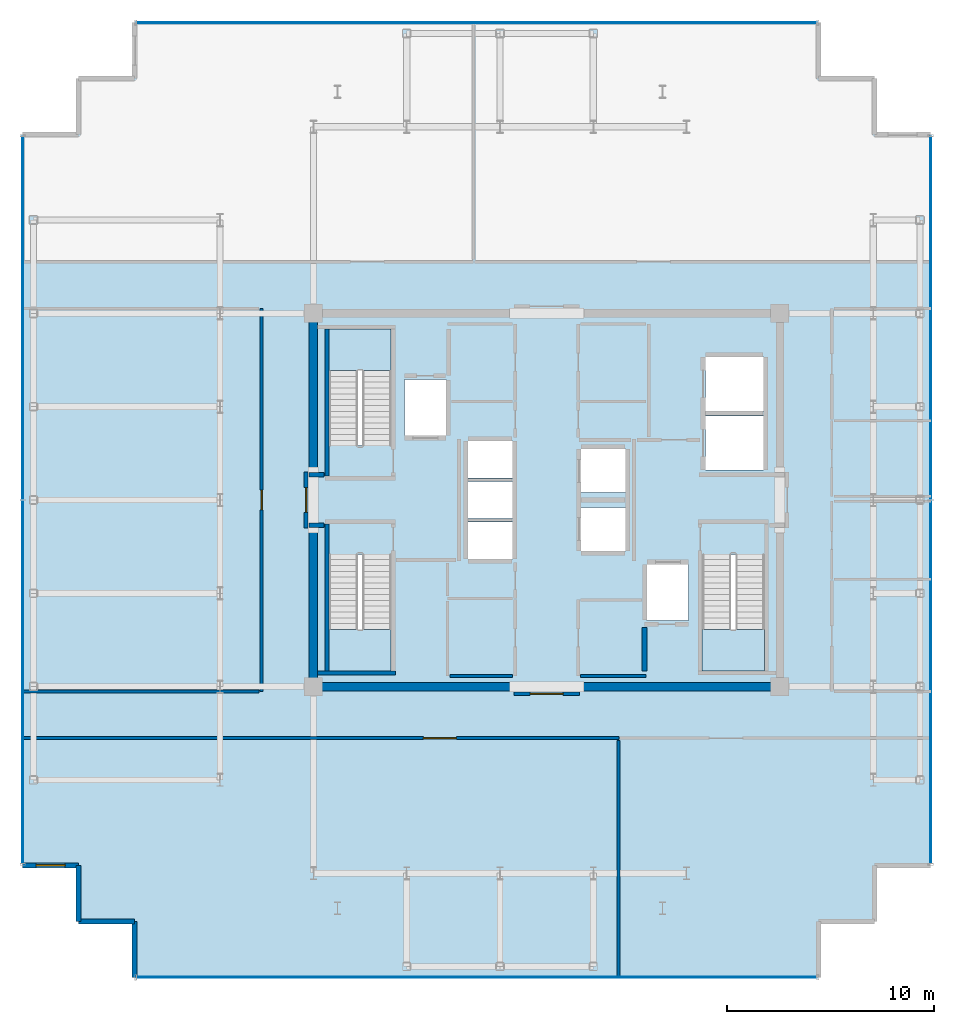
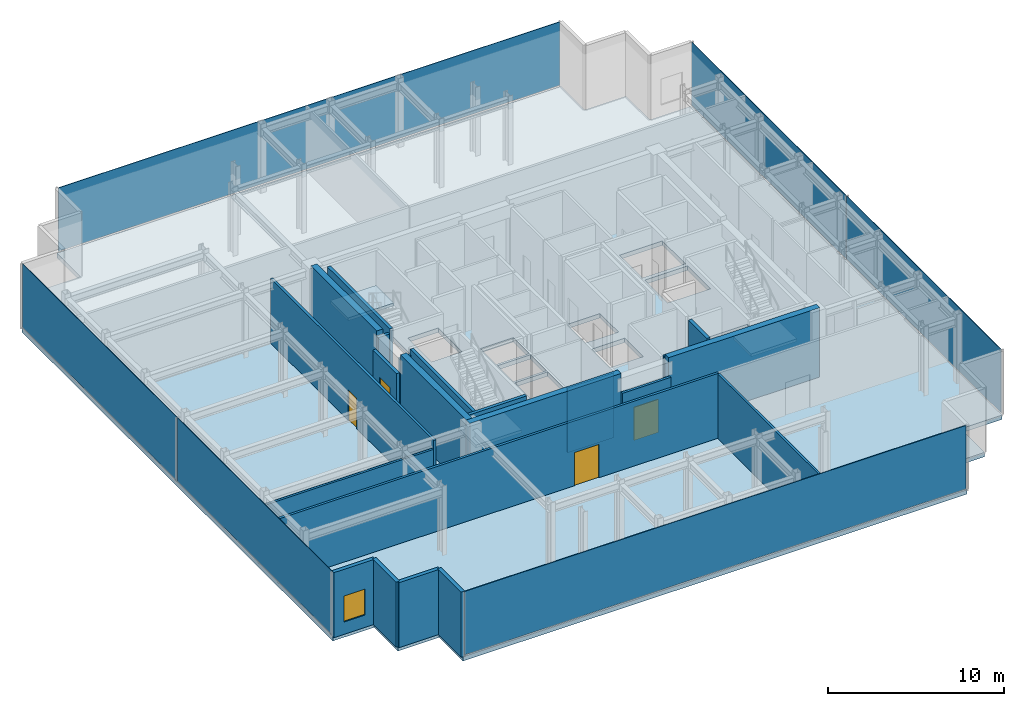
# One storey, part 12 of 17: 22 walls, 6 plates, 4 doors, 4 slabs, 1 window, 5 openings, 7 elements without a shape of their own.
"""IFC4 building model written with IfcOpenShell, lengths in metres."""

from ifc_helpers import new_model, si_unit, direction, frame, frame_2d, origin, origin_2d, place, context, subcontext, project, spatial, polyline, rectangle, outline, extrude, source, transform, mapped, material, layer, layer_set, type_object, element, fill, aggregate, save


model = new_model("IFC4")

# Units and contexts
model_context = context("Model", 3, precision=1e-05, world=origin(), true_north=direction((0.0, 1.0)))
body_context = subcontext(model_context, "Body", "Model", "MODEL_VIEW")
ifc_project = project(units=[si_unit("LENGTHUNIT", "METRE"), si_unit("AREAUNIT", "SQUARE_METRE"), si_unit("VOLUMEUNIT", "CUBIC_METRE"), si_unit("PLANEANGLEUNIT", "RADIAN"), si_unit("MASSUNIT", "GRAM", prefix="KILO")], contexts=[model_context])

# Site, building, storey
site_placement = place(None, origin())
site = spatial("IfcSite", under=ifc_project, at=site_placement, CompositionType="ELEMENT")
building_placement = place(site_placement, origin())
building = spatial("IfcBuilding", under=site, at=building_placement, Name="Nefas-Gora Pilgrimage Tower", CompositionType="ELEMENT")
storey_placement = place(building_placement, frame((0.0, 0.0, 349.0)))
storey = spatial("IfcBuildingStorey", under=building, at=storey_placement, Name="L88", CompositionType="ELEMENT", Elevation=349.0)

# Slab
ifc_material_1 = material(Name="Concrete C45/55", Category="concrete")
ifc_layer_1 = layer(ifc_material_1, 0.300048828125)
ifc_layer_set_1 = layer_set([ifc_layer_1], Name="Concrete C45/55")
slab_type_1 = type_object("IfcSlabType", Name="SLB-SPEC-300", PredefinedType="FLOOR", material=ifc_layer_set_1)
slab_1_placement = place(storey_placement, frame((0.0, 0.0, -0.300048828125)))
element("IfcSlab", 1, at=slab_1_placement, inside=storey, type_object=slab_type_1, Name="L88 Structural Floor Slab", PredefinedType="FLOOR", context=body_context, shape_type="SweptSolid", body=[
    extrude(outline(polyline([(18.52001953125, 17.6201171875), (15.820068359375, 17.6201171875), (15.820068359375, 20.320068359375), (13.1201171875, 20.320068359375), (13.1201171875, 23.02001953125), (-19.8701171875, 23.02001953125), (-19.8701171875, 20.320068359375), (-22.570068359375, 20.320068359375), (-22.570068359375, 17.6201171875), (-25.27001953125, 17.6201171875), (-25.27001953125, -17.6201171875), (-22.570068359375, -17.6201171875), (-22.570068359375, -20.320068359375), (-19.8701171875, -20.320068359375), (-19.8701171875, -23.02001953125), (13.1201171875, -23.02001953125), (13.1201171875, -20.320068359375), (15.820068359375, -20.320068359375), (15.820068359375, -17.6201171875), (18.52001953125, -17.6201171875), (18.52001953125, 17.6201171875)]), holes=[polyline([(-10.5, 2.639892578125), (-10.5, 8.25), (-7.5, 8.25), (-7.5, 2.639892578125), (-10.5, 2.639892578125)]), polyline([(10.5, -2.639892578125), (10.5, -8.25), (7.5, -8.25), (7.5, -2.639892578125), (10.5, -2.639892578125)]), polyline([(-7.5, -2.639892578125), (-7.5, -8.25), (-10.5, -8.25), (-10.5, -2.639892578125), (-7.5, -2.639892578125)]), polyline([(-6.85009765625, 5.800048828125), (-4.85009765625, 5.800048828125), (-4.85009765625, 3.10009765625), (-6.85009765625, 3.10009765625), (-6.85009765625, 5.800048828125)]), polyline([(4.85009765625, -3.10009765625), (6.85009765625, -3.10009765625), (6.85009765625, -5.800048828125), (4.85009765625, -5.800048828125), (4.85009765625, -3.10009765625)]), polyline([(7.64990234375, 4.050048828125), (10.449951171875, 4.050048828125), (10.449951171875, 1.449951171875), (7.64990234375, 1.449951171875), (7.64990234375, 4.050048828125)]), polyline([(7.64990234375, 6.89990234375), (10.449951171875, 6.89990234375), (10.449951171875, 4.300048828125), (7.64990234375, 4.300048828125), (7.64990234375, 6.89990234375)]), polyline([(-3.800048828125, -1.050048828125), (-1.64990234375, -1.050048828125), (-1.64990234375, -2.85009765625), (-3.800048828125, -2.85009765625), (-3.800048828125, -1.050048828125)]), polyline([(-3.800048828125, 0.89990234375), (-1.64990234375, 0.89990234375), (-1.64990234375, -0.89990234375), (-3.800048828125, -0.89990234375), (-3.800048828125, 0.89990234375)]), polyline([(-3.800048828125, 2.85009765625), (-1.64990234375, 2.85009765625), (-1.64990234375, 1.050048828125), (-3.800048828125, 1.050048828125), (-3.800048828125, 2.85009765625)]), polyline([(1.64990234375, -0.35009765625), (3.800048828125, -0.35009765625), (3.800048828125, -2.449951171875), (1.64990234375, -2.449951171875), (1.64990234375, -0.35009765625)]), polyline([(1.64990234375, 2.449951171875), (3.800048828125, 2.449951171875), (3.800048828125, 0.35009765625), (1.64990234375, 0.35009765625), (1.64990234375, 2.449951171875)])]), origin(), (0.0, 0.0, 1.0), 0.300048828125),
])

# Stair, slab
stair_type = type_object("IfcStairType", Name="STR-1400-R1714", PredefinedType="HALF_TURN_STAIR", material=ifc_material_1)
stair_1_placement = place(storey_placement, origin())
stair_1 = element("IfcStair", 2, at=stair_1_placement, inside=storey, type_object=stair_type, Name="L88 Pressurised Tower Exit Stair ST-01", PredefinedType="HALF_TURN_STAIR")
ifc_material_2 = material(Name="Concrete C40/50", Category="concrete")
ifc_layer_2 = layer(ifc_material_2, 0.199951171875)
ifc_layer_set_2 = layer_set([ifc_layer_2], Name="Concrete C40/50")
slab_type_2 = type_object("IfcSlabType", Name="STR-LAND-200", PredefinedType="LANDING", material=ifc_layer_set_2)
slab_2_placement = place(storey_placement, frame((0.0, 0.0, 2.199951171875)))
slab_2 = element("IfcSlab", 3, at=slab_2_placement, type_object=slab_type_2, Name="ST-01 landing 1", PredefinedType="LANDING", context=body_context, shape_type="SweptSolid", body=[
    extrude(outline(polyline([(-7.5, 6.239990234375), (-7.5, 8.25), (-10.5, 8.25), (-10.5, 6.239990234375), (-7.5, 6.239990234375)])), origin(), (0.0, 0.0, 1.0), 0.199951171875),
])
aggregate(stair_1, [slab_2])

stair_2_placement = place(storey_placement, origin())
stair_2 = element("IfcStair", 4, at=stair_2_placement, inside=storey, type_object=stair_type, Name="L88 Pressurised Tower Exit Stair ST-02", PredefinedType="HALF_TURN_STAIR")
slab_3_placement = place(storey_placement, frame((0.0, 0.0, 2.199951171875)))
slab_3 = element("IfcSlab", 5, at=slab_3_placement, type_object=slab_type_2, Name="ST-02 landing 1", PredefinedType="LANDING", context=body_context, shape_type="SweptSolid", body=[
    extrude(outline(polyline([(7.5, -6.239990234375), (7.5, -8.25), (10.5, -8.25), (10.5, -6.239990234375), (7.5, -6.239990234375)])), origin(), (0.0, 0.0, 1.0), 0.199951171875),
])
aggregate(stair_2, [slab_3])

stair_3_placement = place(storey_placement, origin())
stair_3 = element("IfcStair", 6, at=stair_3_placement, inside=storey, type_object=stair_type, Name="L88 Pressurised Tower Exit Stair ST-03", PredefinedType="HALF_TURN_STAIR")
slab_4_placement = place(storey_placement, frame((0.0, 0.0, 2.199951171875)))
slab_4 = element("IfcSlab", 7, at=slab_4_placement, type_object=slab_type_2, Name="ST-03 landing 1", PredefinedType="LANDING", context=body_context, shape_type="SweptSolid", body=[
    extrude(outline(polyline([(-10.5, -6.239990234375), (-10.5, -8.25), (-7.5, -8.25), (-7.5, -6.239990234375), (-10.5, -6.239990234375)])), origin(), (0.0, 0.0, 1.0), 0.199951171875),
])
aggregate(stair_3, [slab_4])

# Curtain wall, plate
ifc_material_3 = material(Name="Dark ceramic-fritted solar-control aluminium-glass curtain wall", Category="aluminium")
ifc_layer_3 = layer(ifc_material_3, 0.219970703125)
ifc_layer_set_3 = layer_set([ifc_layer_3], Name="Dark ceramic-fritted solar-control aluminium-glass curtain wall")
curtain_wall_type = type_object("IfcCurtainWallType", Name="CW-SYS-6", PredefinedType="NOTDEFINED", material=ifc_layer_set_3)
curtain_wall_1_placement = place(storey_placement, origin())
curtain_wall_1 = element("IfcCurtainWall", 8, at=curtain_wall_1_placement, inside=storey, type_object=curtain_wall_type, Name="L88 Unitised Curtain Wall CW6", PredefinedType="NOTDEFINED")
ifc_material_4 = material(Name="Dark ceramic-printed low-e insulated glass", Category="glass")
ifc_layer_4 = layer(ifc_material_4, 0.0400390625)
ifc_layer_set_4 = layer_set([ifc_layer_4], Name="Dark ceramic-printed low-e insulated glass")
plate_type = type_object("IfcPlateType", Name="CWP-PNL-6", PredefinedType="CURTAIN_PANEL", material=ifc_layer_set_4)
shared_shape_1 = source(origin(), body_context, "Body", "SweptSolid", [
    extrude(rectangle(XDim=32.81005859375, YDim=0.0400390625, at=origin_2d()), origin(), (0.0, 0.0, 1.0), 4.389892578125),
])
plate_1_placement = place(storey_placement, frame((-3.375, 23.02001953125, 0.10009765625), z_axis=(0.0, 0.0, 1.0), x_axis=(-1.0, 0.0, 0.0)))
plate_1 = element("IfcPlate", 9, at=plate_1_placement, type_object=plate_type, Name="CW6 Ceramic-Fritted Glazing Panel 1", PredefinedType="CURTAIN_PANEL", context=body_context, shape_type="MappedRepresentation", body=[
    mapped(shared_shape_1, transform((0.0, 0.0, 0.0), x_axis=(1.0, 0.0, 0.0), y_axis=(0.0, 1.0, 0.0), z_axis=(0.0, 0.0, 1.0), scale=1.0)),
])
aggregate(curtain_wall_1, [plate_1])

curtain_wall_2_placement = place(storey_placement, origin())
curtain_wall_2 = element("IfcCurtainWall", 10, at=curtain_wall_2_placement, inside=storey, type_object=curtain_wall_type, Name="L88 Unitised Curtain Wall CW6", PredefinedType="NOTDEFINED")
plate_2_placement = place(storey_placement, frame((-3.375, -23.02001953125, 0.10009765625), z_axis=(0.0, 0.0, 1.0), x_axis=(1.0, 0.0, 0.0)))
plate_2 = element("IfcPlate", 11, at=plate_2_placement, type_object=plate_type, Name="CW6 Ceramic-Fritted Glazing Panel 1", PredefinedType="CURTAIN_PANEL", context=body_context, shape_type="MappedRepresentation", body=[
    mapped(shared_shape_1, transform((0.0, 0.0, 0.0), x_axis=(1.0, 0.0, 0.0), y_axis=(0.0, 1.0, 0.0), z_axis=(0.0, 0.0, 1.0), scale=1.0)),
])
aggregate(curtain_wall_2, [plate_2])

# Curtain wall, plates
curtain_wall_3_placement = place(storey_placement, origin())
curtain_wall_3 = element("IfcCurtainWall", 12, at=curtain_wall_3_placement, inside=storey, type_object=curtain_wall_type, Name="L88 Unitised Curtain Wall CW6", PredefinedType="NOTDEFINED")
shared_shape_2 = source(origin(), body_context, "Body", "SweptSolid", [
    extrude(rectangle(XDim=17.485107421875, YDim=0.0400390625, at=origin_2d()), origin(), (0.0, 0.0, 1.0), 4.389892578125),
])
plate_3_placement = place(storey_placement, frame((-25.27001953125, 8.78759765625, 0.10009765625), z_axis=(0.0, 0.0, 1.0), x_axis=(0.0, -1.0, 0.0)))
plate_3 = element("IfcPlate", 13, at=plate_3_placement, type_object=plate_type, Name="CW6 Ceramic-Fritted Glazing Panel 1", PredefinedType="CURTAIN_PANEL", context=body_context, shape_type="MappedRepresentation", body=[
    mapped(shared_shape_2, transform((0.0, 0.0, 0.0), x_axis=(1.0, 0.0, 0.0), y_axis=(0.0, 1.0, 0.0), z_axis=(0.0, 0.0, 1.0), scale=1.0)),
])
plate_4_placement = place(storey_placement, frame((-25.27001953125, -8.78759765625, 0.10009765625), z_axis=(0.0, 0.0, 1.0), x_axis=(0.0, -1.0, 0.0)))
plate_4 = element("IfcPlate", 14, at=plate_4_placement, type_object=plate_type, Name="CW6 Ceramic-Fritted Glazing Panel 2", PredefinedType="CURTAIN_PANEL", context=body_context, shape_type="MappedRepresentation", body=[
    mapped(shared_shape_2, transform((0.0, 0.0, 0.0), x_axis=(1.0, 0.0, 0.0), y_axis=(0.0, 1.0, 0.0), z_axis=(0.0, 0.0, 1.0), scale=1.0)),
])
aggregate(curtain_wall_3, [plate_3, plate_4])

curtain_wall_4_placement = place(storey_placement, origin())
curtain_wall_4 = element("IfcCurtainWall", 15, at=curtain_wall_4_placement, inside=storey, type_object=curtain_wall_type, Name="L88 Unitised Curtain Wall CW6", PredefinedType="NOTDEFINED")
plate_5_placement = place(storey_placement, frame((18.52001953125, -8.78759765625, 0.10009765625), z_axis=(0.0, 0.0, 1.0), x_axis=(0.0, 1.0, 0.0)))
plate_5 = element("IfcPlate", 16, at=plate_5_placement, type_object=plate_type, Name="CW6 Ceramic-Fritted Glazing Panel 1", PredefinedType="CURTAIN_PANEL", context=body_context, shape_type="MappedRepresentation", body=[
    mapped(shared_shape_2, transform((0.0, 0.0, 0.0), x_axis=(1.0, 0.0, 0.0), y_axis=(0.0, 1.0, 0.0), z_axis=(0.0, 0.0, 1.0), scale=1.0)),
])
plate_6_placement = place(storey_placement, frame((18.52001953125, 8.78759765625, 0.10009765625), z_axis=(0.0, 0.0, 1.0), x_axis=(0.0, 1.0, 0.0)))
plate_6 = element("IfcPlate", 17, at=plate_6_placement, type_object=plate_type, Name="CW6 Ceramic-Fritted Glazing Panel 2", PredefinedType="CURTAIN_PANEL", context=body_context, shape_type="MappedRepresentation", body=[
    mapped(shared_shape_2, transform((0.0, 0.0, 0.0), x_axis=(1.0, 0.0, 0.0), y_axis=(0.0, 1.0, 0.0), z_axis=(0.0, 0.0, 1.0), scale=1.0)),
])
aggregate(curtain_wall_4, [plate_5, plate_6])

# Walls
ifc_material_5 = material(Name="Concrete C50/60", Category="concrete")
ifc_layer_5 = layer(ifc_material_5, 0.39990234375)
ifc_layer_set_5 = layer_set([ifc_layer_5], Name="Concrete C50/60")
wall_type_1 = type_object("IfcWallType", Name="SW-CORE-400", PredefinedType="SHEAR", material=ifc_layer_set_5)
shared_shape_3 = source(origin(), body_context, "Body", "SweptSolid", [
    extrude(rectangle(XDim=9.89990234375, YDim=0.39990234375, at=frame_2d((4.949951171875, 0.0))), origin(), (0.0, 0.0, 1.0), 4.800048828125),
])
for number, where, z_axis, x_axis, name in (
    (18, (-11.449951171875, -9.0, 0.0), (0.0, 0.0, 1.0), (1.0, 0.0, 0.0), "L88 Core Shear Wall S-West"),
    (19, (1.550048828125, -9.0, 0.0), (0.0, 0.0, 1.0), (1.0, 0.0, 0.0), "L88 Core Shear Wall S-East"),
):
    element("IfcWall", number, at=place(storey_placement, frame(where, z_axis=z_axis, x_axis=x_axis)), inside=storey, type_object=wall_type_1, Name=name, PredefinedType="SHEAR", context=body_context, shape_type="MappedRepresentation", body=[
        mapped(shared_shape_3, transform((0.0, 0.0, 0.0), x_axis=(1.0, 0.0, 0.0), y_axis=(0.0, 1.0, 0.0), z_axis=(0.0, 0.0, 1.0), scale=1.0)),
    ])
shared_shape_4 = source(origin(), body_context, "Body", "SweptSolid", [
    extrude(rectangle(XDim=7.449951171875, YDim=0.39990234375, at=frame_2d((3.72509765625, 0.0))), origin(), (0.0, 0.0, 1.0), 4.800048828125),
])
for number, where, z_axis, x_axis, name in (
    (20, (-11.25, -8.800048828125, 0.0), (0.0, 0.0, 1.0), (0.0, 1.0, 0.0), "L88 Core Shear Wall W-South"),
    (21, (-11.25, 1.35009765625, 0.0), (0.0, 0.0, 1.0), (0.0, 1.0, 0.0), "L88 Core Shear Wall W-North"),
):
    element("IfcWall", number, at=place(storey_placement, frame(where, z_axis=z_axis, x_axis=x_axis)), inside=storey, type_object=wall_type_1, Name=name, PredefinedType="SHEAR", context=body_context, shape_type="MappedRepresentation", body=[
        mapped(shared_shape_4, transform((0.0, 0.0, 0.0), x_axis=(1.0, 0.0, 0.0), y_axis=(0.0, 1.0, 0.0), z_axis=(0.0, 0.0, 1.0), scale=1.0)),
    ])

# Wall, opening, window
ifc_material_6 = material(Name="Precast concrete C45/55", Category="concrete")
ifc_layer_6 = layer(ifc_material_6, 0.239990234375)
ifc_layer_set_6 = layer_set([ifc_layer_6], Name="Precast concrete C45/55")
wall_type_2 = type_object("IfcWallType", Name="EW-SERR-240", PredefinedType="SHEAR", material=ifc_layer_set_6)
shared_shape_5 = source(origin(), body_context, "Body", "SweptSolid", [
    extrude(rectangle(XDim=2.699951171875, YDim=0.239990234375, at=frame_2d((1.35009765625, 0.0))), origin(), (0.0, 0.0, 1.0), 4.5),
])
wall_1_placement = place(storey_placement, frame((-25.27001953125, -17.6201171875, 0.0), z_axis=(0.0, 0.0, 1.0), x_axis=(1.0, 0.0, 0.0)))
wall_1 = element("IfcWall", 22, at=wall_1_placement, inside=storey, type_object=wall_type_2, Name="L88 Serrated Corner Shear Pier Wall 9", PredefinedType="SHEAR", context=body_context, shape_type="MappedRepresentation", body=[
    mapped(shared_shape_5, transform((0.0, 0.0, 0.0), x_axis=(1.0, 0.0, 0.0), y_axis=(0.0, 1.0, 0.0), z_axis=(0.0, 0.0, 1.0), scale=1.0)),
])
opening_1_placement = place(wall_1_placement, frame((0.64990234375, 0.0, 0.85009765625)))
opening_1 = element("IfcOpeningElement", 23, at=opening_1_placement, cuts=wall_1, Name="Opening W-V2", PredefinedType="OPENING", context=body_context, shape_type="SweptSolid", body=[
    extrude(rectangle(XDim=1.39990234375, YDim=1.800048828125, at=frame_2d((0.699951171875, 0.89990234375))), frame((0.0, 0.1298828125, 0.0), z_axis=(0.0, -1.0, 0.0), x_axis=(1.0, 0.0, 0.0)), (0.0, 0.0, 1.0), 0.260009765625),
])
ifc_material_7 = material(Name="Dark ceramic-fritted operable aluminium-glass window", Category="aluminium")
window_type = type_object("IfcWindowType", Name="WIN-VENT-1400x1800", PartitioningType="SINGLE_PANEL", PredefinedType="WINDOW", material=ifc_material_7)
shared_shape_6 = source(origin(), body_context, "Body", "SweptSolid", [
    extrude(rectangle(XDim=1.39990234375, YDim=1.800048828125, at=frame_2d((0.699951171875, 0.89990234375))), frame((0.0, 0.030029296875, 0.0), z_axis=(0.0, -1.0, 0.0), x_axis=(1.0, 0.0, 0.0)), (0.0, 0.0, 1.0), 0.06005859375),
])
window_placement = place(opening_1_placement, origin())
window = element("IfcWindow", 24, at=window_placement, inside=storey, type_object=window_type, Name="L88 Operable Parallel-Outswing Window 9", OverallHeight=1.800048828125, OverallWidth=1.39990234375, PartitioningType="SINGLE_PANEL", PredefinedType="WINDOW", context=body_context, shape_type="MappedRepresentation", body=[
    mapped(shared_shape_6, transform((0.0, 0.0, 0.0), x_axis=(1.0, 0.0, 0.0), y_axis=(0.0, 1.0, 0.0), z_axis=(0.0, 0.0, 1.0), scale=1.0)),
])
fill(opening_1, window)

# Walls
for number, where, z_axis, x_axis, name in (
    (25, (-22.570068359375, -17.6201171875, 0.0), (0.0, 0.0, 1.0), (0.0, -1.0, 0.0), "L88 Serrated Corner Shear Pier Wall 10"),
    (26, (-22.570068359375, -20.320068359375, 0.0), (0.0, 0.0, 1.0), (1.0, 0.0, 0.0), "L88 Serrated Corner Shear Pier Wall 11"),
    (27, (-19.8701171875, -20.320068359375, 0.0), (0.0, 0.0, 1.0), (0.0, -1.0, 0.0), "L88 Serrated Corner Shear Pier Wall 12"),
):
    element("IfcWall", number, at=place(storey_placement, frame(where, z_axis=z_axis, x_axis=x_axis)), inside=storey, type_object=wall_type_2, Name=name, PredefinedType="SHEAR", context=body_context, shape_type="MappedRepresentation", body=[
        mapped(shared_shape_5, transform((0.0, 0.0, 0.0), x_axis=(1.0, 0.0, 0.0), y_axis=(0.0, 1.0, 0.0), z_axis=(0.0, 0.0, 1.0), scale=1.0)),
    ])
ifc_layer_7 = layer(ifc_material_1, 0.199951171875)
ifc_layer_set_7 = layer_set([ifc_layer_7], Name="Concrete C45/55")
wall_type_3 = type_object("IfcWallType", Name="IW-STAIR-200", PredefinedType="SOLIDWALL", material=ifc_layer_set_7)
shared_shape_7 = source(origin(), body_context, "Body", "SweptSolid", [
    extrude(rectangle(XDim=7.10009765625, YDim=0.199951171875, at=frame_2d((3.550048828125, 0.0))), origin(), (0.0, 0.0, 1.0), 4.800048828125),
])
for number, where, z_axis, x_axis, name in (
    (28, (-10.60009765625, 1.14990234375, 0.0), (0.0, 0.0, 1.0), (0.0, 1.0, 0.0), "L88 Stairwell Shear Wall ST-01-right"),
    (29, (-10.60009765625, -1.14990234375, 0.0), (0.0, 0.0, 1.0), (0.0, -1.0, 0.0), "L88 Stairwell Shear Wall ST-03-left"),
):
    element("IfcWall", number, at=place(storey_placement, frame(where, z_axis=z_axis, x_axis=x_axis)), inside=storey, type_object=wall_type_3, Name=name, PredefinedType="SOLIDWALL", context=body_context, shape_type="MappedRepresentation", body=[
        mapped(shared_shape_7, transform((0.0, 0.0, 0.0), x_axis=(1.0, 0.0, 0.0), y_axis=(0.0, 1.0, 0.0), z_axis=(0.0, 0.0, 1.0), scale=1.0)),
    ])
shared_shape_8 = source(origin(), body_context, "Body", "SweptSolid", [
    extrude(rectangle(XDim=3.7548828125, YDim=0.199951171875, at=frame_2d((1.87744140625, 0.0))), origin(), (0.0, 0.0, 1.0), 4.800048828125),
])
wall_2_placement = place(storey_placement, frame((-11.054931640625, -8.35009765625, 0.0), z_axis=(0.0, 0.0, 1.0), x_axis=(1.0, 0.0, 0.0)))
element("IfcWall", 30, at=wall_2_placement, inside=storey, type_object=wall_type_3, Name="L88 Stairwell Shear Wall ST-03-far", PredefinedType="SOLIDWALL", context=body_context, shape_type="MappedRepresentation", body=[
    mapped(shared_shape_8, transform((0.0, 0.0, 0.0), x_axis=(1.0, 0.0, 0.0), y_axis=(0.0, 1.0, 0.0), z_axis=(0.0, 0.0, 1.0), scale=1.0)),
])
ifc_material_8 = material(Name="Gypsum twin-stud partition")
ifc_layer_8 = layer(ifc_material_8, 0.139892578125)
ifc_layer_set_8 = layer_set([ifc_layer_8], Name="Gypsum twin-stud partition")
wall_type_4 = type_object("IfcWallType", Name="IW-UNIT-140", PredefinedType="PARTITIONING", material=ifc_layer_set_8)
shared_shape_9 = source(origin(), body_context, "Body", "SweptSolid", [
    extrude(rectangle(XDim=11.419921875, YDim=0.139892578125, at=frame_2d((5.7099609375, 0.0))), origin(), (0.0, 0.0, 1.0), 3.925048828125),
])
wall_3_placement = place(storey_placement, frame((-25.2900390625, -9.22998046875, 0.0), z_axis=(0.0, 0.0, 1.0), x_axis=(1.0, 0.0, 0.0)))
element("IfcWall", 31, at=wall_3_placement, inside=storey, type_object=wall_type_4, Name="L88 Heritage Exhibition Lounge Partition Wall 43", PredefinedType="PARTITIONING", context=body_context, shape_type="MappedRepresentation", body=[
    mapped(shared_shape_9, transform((0.0, 0.0, 0.0), x_axis=(1.0, 0.0, 0.0), y_axis=(0.0, 1.0, 0.0), z_axis=(0.0, 0.0, 1.0), scale=1.0)),
])
ifc_layer_9 = layer(ifc_material_2, 0.219970703125)
ifc_layer_set_9 = layer_set([ifc_layer_9], Name="Concrete C40/50")
wall_type_5 = type_object("IfcWallType", Name="IW-SHAFT-220", PredefinedType="SOLIDWALL", material=ifc_layer_set_9)
shared_shape_10 = source(origin(), body_context, "Body", "SweptSolid", [
    extrude(rectangle(XDim=2.10009765625, YDim=0.219970703125, at=frame_2d((1.050048828125, 0.0))), origin(), (0.0, 0.0, 1.0), 4.485107421875),
])
wall_4_placement = place(storey_placement, frame((4.719970703125, -8.25, 0.0), z_axis=(0.0, 0.0, 1.0), x_axis=(0.0, 1.0, 0.0)))
element("IfcWall", 32, at=wall_4_placement, inside=storey, type_object=wall_type_5, Name="L88 Riser Shaft Wall 4", PredefinedType="SOLIDWALL", context=body_context, shape_type="MappedRepresentation", body=[
    mapped(shared_shape_10, transform((0.0, 0.0, 0.0), x_axis=(1.0, 0.0, 0.0), y_axis=(0.0, 1.0, 0.0), z_axis=(0.0, 0.0, 1.0), scale=1.0)),
])

# Wall, opening, door
ifc_material_9 = material(Name="Gypsum fire-rated shaftwall")
ifc_layer_10 = layer(ifc_material_9, 0.199951171875)
ifc_layer_set_10 = layer_set([ifc_layer_10], Name="Gypsum fire-rated shaftwall")
wall_type_6 = type_object("IfcWallType", Name="IW-FFLOB-200", PredefinedType="PARTITIONING", material=ifc_layer_set_10)
shared_shape_11 = source(origin(), body_context, "Body", "SweptSolid", [
    extrude(rectangle(XDim=2.7001953125, YDim=0.199951171875, at=frame_2d((1.35009765625, 0.0))), origin(), (0.0, 0.0, 1.0), 3.574951171875),
])
wall_5_placement = place(storey_placement, frame((-11.60009765625, -1.35009765625, 0.0), z_axis=(0.0, 0.0, 1.0), x_axis=(0.0, 1.0, 0.0)))
wall_5 = element("IfcWall", 33, at=wall_5_placement, inside=storey, type_object=wall_type_6, Name="L88 FF Lobby West Portal Wall 5", PredefinedType="PARTITIONING", context=body_context, shape_type="MappedRepresentation", body=[
    mapped(shared_shape_11, transform((0.0, 0.0, 0.0), x_axis=(1.0, 0.0, 0.0), y_axis=(0.0, 1.0, 0.0), z_axis=(0.0, 0.0, 1.0), scale=1.0)),
])
opening_2_placement = place(wall_5_placement, frame((0.75, 0.0, 0.0)))
opening_2 = element("IfcOpeningElement", 34, at=opening_2_placement, cuts=wall_5, Name="Opening ID-FF1", PredefinedType="OPENING", context=body_context, shape_type="SweptSolid", body=[
    extrude(rectangle(XDim=1.199951171875, YDim=2.14990234375, at=frame_2d((0.60009765625, 1.074951171875))), frame((0.0, 0.10986328125, 0.0), z_axis=(0.0, -1.0, 0.0), x_axis=(1.0, 0.0, 0.0)), (0.0, 0.0, 1.0), 0.219970703125),
])
ifc_material_10 = material(Name="Smoke-sealed steel firefighting lobby door", Category="steel")
door_type_1 = type_object("IfcDoorType", Name="DR-INT-FFLOB-1200", OperationType="NOTDEFINED", PredefinedType="DOOR", material=ifc_material_10)
shared_shape_12 = source(origin(), body_context, "Body", "SweptSolid", [
    extrude(rectangle(XDim=1.199951171875, YDim=2.14990234375, at=frame_2d((0.60009765625, 1.074951171875))), frame((0.0, 0.02490234375, 0.0), z_axis=(0.0, -1.0, 0.0), x_axis=(1.0, 0.0, 0.0)), (0.0, 0.0, 1.0), 0.050048828125),
])
door_1_placement = place(opening_2_placement, origin())
door_1 = element("IfcDoor", 35, at=door_1_placement, inside=storey, type_object=door_type_1, Name="L88 FF Lobby West Portal Door 3", OperationType="SINGLE_SWING_LEFT", OverallHeight=2.14990234375, OverallWidth=1.199951171875, PredefinedType="DOOR", context=body_context, shape_type="MappedRepresentation", body=[
    mapped(shared_shape_12, transform((0.0, 0.0, 0.0), x_axis=(1.0, 0.0, 0.0), y_axis=(0.0, 1.0, 0.0), z_axis=(0.0, 0.0, 1.0), scale=1.0)),
])
fill(opening_2, door_1)

# Walls
shared_shape_13 = source(origin(), body_context, "Body", "SweptSolid", [
    extrude(rectangle(XDim=0.719970703125, YDim=0.199951171875, at=frame_2d((0.35986328125, 0.0))), origin(), (0.0, 0.0, 1.0), 4.485107421875),
])
for number, where, z_axis, x_axis, name in (
    (36, (-11.4599609375, 1.219970703125, 0.0), (0.0, 0.0, 1.0), (1.0, 0.0, 0.0), "L88 FF Lobby West Throat N Wall 8"),
    (37, (-11.4599609375, -1.219970703125, 0.0), (0.0, 0.0, 1.0), (1.0, 0.0, 0.0), "L88 FF Lobby West Throat S Wall 9"),
):
    element("IfcWall", number, at=place(storey_placement, frame(where, z_axis=z_axis, x_axis=x_axis)), inside=storey, type_object=wall_type_6, Name=name, PredefinedType="PARTITIONING", context=body_context, shape_type="MappedRepresentation", body=[
        mapped(shared_shape_13, transform((0.0, 0.0, 0.0), x_axis=(1.0, 0.0, 0.0), y_axis=(0.0, 1.0, 0.0), z_axis=(0.0, 0.0, 1.0), scale=1.0)),
    ])

# Wall, opening, door
ifc_material_11 = material(Name="Gypsum acoustic stud partition")
ifc_layer_11 = layer(ifc_material_11, 0.159912109375)
ifc_layer_set_11 = layer_set([ifc_layer_11], Name="Gypsum acoustic stud partition")
wall_type_7 = type_object("IfcWallType", Name="IW-CORR-160", PredefinedType="PARTITIONING", material=ifc_layer_set_11)
shared_shape_14 = source(origin(), body_context, "Body", "SweptSolid", [
    extrude(rectangle(XDim=3.16015625, YDim=0.159912109375, at=frame_2d((1.580078125, 0.0))), origin(), (0.0, 0.0, 1.0), 3.574951171875),
])
wall_6_placement = place(storey_placement, frame((-1.580078125, -9.35009765625, 0.0), z_axis=(0.0, 0.0, 1.0), x_axis=(1.0, 0.0, 0.0)))
wall_6 = element("IfcWall", 38, at=wall_6_placement, inside=storey, type_object=wall_type_7, Name="L88 Central Lift Lobby South Portal Wall 17", PredefinedType="PARTITIONING", context=body_context, shape_type="MappedRepresentation", body=[
    mapped(shared_shape_14, transform((0.0, 0.0, 0.0), x_axis=(1.0, 0.0, 0.0), y_axis=(0.0, 1.0, 0.0), z_axis=(0.0, 0.0, 1.0), scale=1.0)),
])
opening_3_placement = place(wall_6_placement, frame((0.780029296875, 0.0, 0.0)))
opening_3 = element("IfcOpeningElement", 39, at=opening_3_placement, cuts=wall_6, Name="Opening ID-HL1", PredefinedType="OPENING", context=body_context, shape_type="SweptSolid", body=[
    extrude(rectangle(XDim=1.60009765625, YDim=2.300048828125, at=frame_2d((0.800048828125, 1.14990234375))), frame((0.0, 0.08984375, 0.0), z_axis=(0.0, -1.0, 0.0), x_axis=(1.0, 0.0, 0.0)), (0.0, 0.0, 1.0), 0.179931640625),
])
ifc_material_12 = material(Name="Double acoustic timber assembly hall door", Category="wood")
door_type_2 = type_object("IfcDoorType", Name="DR-INT-HALL-1600", OperationType="DOUBLE_DOOR_SINGLE_SWING", PredefinedType="DOOR", material=ifc_material_12)
shared_shape_15 = source(origin(), body_context, "Body", "SweptSolid", [
    extrude(rectangle(XDim=1.60009765625, YDim=2.300048828125, at=frame_2d((0.800048828125, 1.14990234375))), frame((0.0, 0.02490234375, 0.0), z_axis=(0.0, -1.0, 0.0), x_axis=(1.0, 0.0, 0.0)), (0.0, 0.0, 1.0), 0.050048828125),
])
door_2_placement = place(opening_3_placement, origin())
door_2 = element("IfcDoor", 40, at=door_2_placement, inside=storey, type_object=door_type_2, Name="L88 Central Lift Lobby South Portal Door 7", OperationType="DOUBLE_DOOR_SINGLE_SWING", OverallHeight=2.300048828125, OverallWidth=1.60009765625, PredefinedType="DOOR", context=body_context, shape_type="MappedRepresentation", body=[
    mapped(shared_shape_15, transform((0.0, 0.0, 0.0), x_axis=(1.0, 0.0, 0.0), y_axis=(0.0, 1.0, 0.0), z_axis=(0.0, 0.0, 1.0), scale=1.0)),
])
fill(opening_3, door_2)

# Walls
shared_shape_16 = source(origin(), body_context, "Body", "SweptSolid", [
    extrude(rectangle(XDim=3.150146484375, YDim=0.139892578125, at=frame_2d((1.5751953125, 0.0))), origin(), (0.0, 0.0, 1.0), 4.485107421875),
])
wall_7_placement = place(storey_placement, frame((1.639892578125, -8.47998046875, 0.0), z_axis=(0.0, 0.0, 1.0), x_axis=(1.0, 0.0, 0.0)))
element("IfcWall", 41, at=wall_7_placement, inside=storey, type_object=wall_type_4, Name="L88 High-Rise Tableware Store Partition Wall 35", PredefinedType="PARTITIONING", context=body_context, shape_type="MappedRepresentation", body=[
    mapped(shared_shape_16, transform((0.0, 0.0, 0.0), x_axis=(1.0, 0.0, 0.0), y_axis=(0.0, 1.0, 0.0), z_axis=(0.0, 0.0, 1.0), scale=1.0)),
])
shared_shape_17 = source(origin(), body_context, "Body", "SweptSolid", [
    extrude(rectangle(XDim=3.030029296875, YDim=0.139892578125, at=frame_2d((1.51513671875, 0.0))), origin(), (0.0, 0.0, 1.0), 4.485107421875),
])
wall_8_placement = place(storey_placement, frame((-4.669921875, -8.47998046875, 0.0), z_axis=(0.0, 0.0, 1.0), x_axis=(1.0, 0.0, 0.0)))
element("IfcWall", 42, at=wall_8_placement, inside=storey, type_object=wall_type_4, Name="L88 High-Rise Linen Store Partition Wall 32", PredefinedType="PARTITIONING", context=body_context, shape_type="MappedRepresentation", body=[
    mapped(shared_shape_17, transform((0.0, 0.0, 0.0), x_axis=(1.0, 0.0, 0.0), y_axis=(0.0, 1.0, 0.0), z_axis=(0.0, 0.0, 1.0), scale=1.0)),
])
shared_shape_18 = source(origin(), body_context, "Body", "SweptSolid", [
    extrude(rectangle(XDim=11.43994140625, YDim=0.139892578125, at=frame_2d((5.719970703125, 0.0))), origin(), (0.0, 0.0, 1.0), 4.485107421875),
])
wall_9_placement = place(storey_placement, frame((3.469970703125, -23.0400390625, 0.0), z_axis=(0.0, 0.0, 1.0), x_axis=(0.0, 1.0, 0.0)))
element("IfcWall", 43, at=wall_9_placement, inside=storey, type_object=wall_type_4, Name="L88 Rift Valley South Observation Lookout Partition Wall 40", PredefinedType="PARTITIONING", context=body_context, shape_type="MappedRepresentation", body=[
    mapped(shared_shape_18, transform((0.0, 0.0, 0.0), x_axis=(1.0, 0.0, 0.0), y_axis=(0.0, 1.0, 0.0), z_axis=(0.0, 0.0, 1.0), scale=1.0)),
])

# Wall, opening, door
shared_shape_19 = source(origin(), body_context, "Body", "SweptSolid", [
    extrude(rectangle(XDim=28.77001953125, YDim=0.159912109375, at=frame_2d((14.385009765625, 0.0))), origin(), (0.0, 0.0, 1.0), 4.485107421875),
])
wall_10_placement = place(storey_placement, frame((-25.2900390625, -11.47998046875, 0.0), z_axis=(0.0, 0.0, 1.0), x_axis=(1.0, 0.0, 0.0)))
wall_10 = element("IfcWall", 44, at=wall_10_placement, inside=storey, type_object=wall_type_7, Name="L88 Rift Valley South Observation Lookout Partition Wall 39", PredefinedType="PARTITIONING", context=body_context, shape_type="MappedRepresentation", body=[
    mapped(shared_shape_19, transform((0.0, 0.0, 0.0), x_axis=(1.0, 0.0, 0.0), y_axis=(0.0, 1.0, 0.0), z_axis=(0.0, 0.0, 1.0), scale=1.0)),
])
opening_4_placement = place(wall_10_placement, frame((19.340087890625, 0.0, 0.0)))
opening_4 = element("IfcOpeningElement", 45, at=opening_4_placement, cuts=wall_10, Name="Opening ID-HL1", PredefinedType="OPENING", context=body_context, shape_type="SweptSolid", body=[
    extrude(rectangle(XDim=1.60009765625, YDim=2.300048828125, at=frame_2d((0.800048828125, 1.14990234375))), frame((0.0, 0.08984375, 0.0), z_axis=(0.0, -1.0, 0.0), x_axis=(1.0, 0.0, 0.0)), (0.0, 0.0, 1.0), 0.179931640625),
])
door_3_placement = place(opening_4_placement, origin())
door_3 = element("IfcDoor", 46, at=door_3_placement, inside=storey, type_object=door_type_2, Name="L88 Rift Valley South Observation Lookout Door 17", OperationType="DOUBLE_DOOR_SINGLE_SWING", OverallHeight=2.300048828125, OverallWidth=1.60009765625, PredefinedType="DOOR", context=body_context, shape_type="MappedRepresentation", body=[
    mapped(shared_shape_15, transform((0.0, 0.0, 0.0), x_axis=(1.0, 0.0, 0.0), y_axis=(0.0, 1.0, 0.0), z_axis=(0.0, 0.0, 1.0), scale=1.0)),
])
fill(opening_4, door_3)

shared_shape_20 = source(origin(), body_context, "Body", "SweptSolid", [
    extrude(rectangle(XDim=18.47998046875, YDim=0.159912109375, at=frame_2d((9.239990234375, 0.0))), origin(), (0.0, 0.0, 1.0), 4.485107421875),
])
wall_11_placement = place(storey_placement, frame((-13.75, -9.239990234375, 0.0), z_axis=(0.0, 0.0, 1.0), x_axis=(0.0, 1.0, 0.0)))
wall_11 = element("IfcWall", 47, at=wall_11_placement, inside=storey, type_object=wall_type_7, Name="L88 Heritage Exhibition Lounge Partition Wall 42", PredefinedType="PARTITIONING", context=body_context, shape_type="MappedRepresentation", body=[
    mapped(shared_shape_20, transform((0.0, 0.0, 0.0), x_axis=(1.0, 0.0, 0.0), y_axis=(0.0, 1.0, 0.0), z_axis=(0.0, 0.0, 1.0), scale=1.0)),
])
opening_5_placement = place(wall_11_placement, frame((8.764892578125, 0.0, 0.0)))
opening_5 = element("IfcOpeningElement", 48, at=opening_5_placement, cuts=wall_11, Name="Opening ID-GR1", PredefinedType="OPENING", context=body_context, shape_type="SweptSolid", body=[
    extrude(rectangle(XDim=0.949951171875, YDim=2.10009765625, at=frame_2d((0.47509765625, 1.050048828125))), frame((0.0, 0.08984375, 0.0), z_axis=(0.0, -1.0, 0.0), x_axis=(1.0, 0.0, 0.0)), (0.0, 0.0, 1.0), 0.179931640625),
])
ifc_material_13 = material(Name="Solid core oak fire-rated guest entrance door")
door_type_3 = type_object("IfcDoorType", Name="DR-INT-GUEST-950", OperationType="NOTDEFINED", PredefinedType="DOOR", material=ifc_material_13)
shared_shape_21 = source(origin(), body_context, "Body", "SweptSolid", [
    extrude(rectangle(XDim=0.949951171875, YDim=2.10009765625, at=frame_2d((0.47509765625, 1.050048828125))), frame((0.0, 0.02490234375, 0.0), z_axis=(0.0, -1.0, 0.0), x_axis=(1.0, 0.0, 0.0)), (0.0, 0.0, 1.0), 0.050048828125),
])
door_4_placement = place(opening_5_placement, origin())
door_4 = element("IfcDoor", 49, at=door_4_placement, inside=storey, type_object=door_type_3, Name="L88 Heritage Exhibition Lounge Door 19", OperationType="SINGLE_SWING_LEFT", OverallHeight=2.10009765625, OverallWidth=0.949951171875, PredefinedType="DOOR", context=body_context, shape_type="MappedRepresentation", body=[
    mapped(shared_shape_21, transform((0.0, 0.0, 0.0), x_axis=(1.0, 0.0, 0.0), y_axis=(0.0, 1.0, 0.0), z_axis=(0.0, 0.0, 1.0), scale=1.0)),
])
fill(opening_5, door_4)

save(model, "model.ifc")
